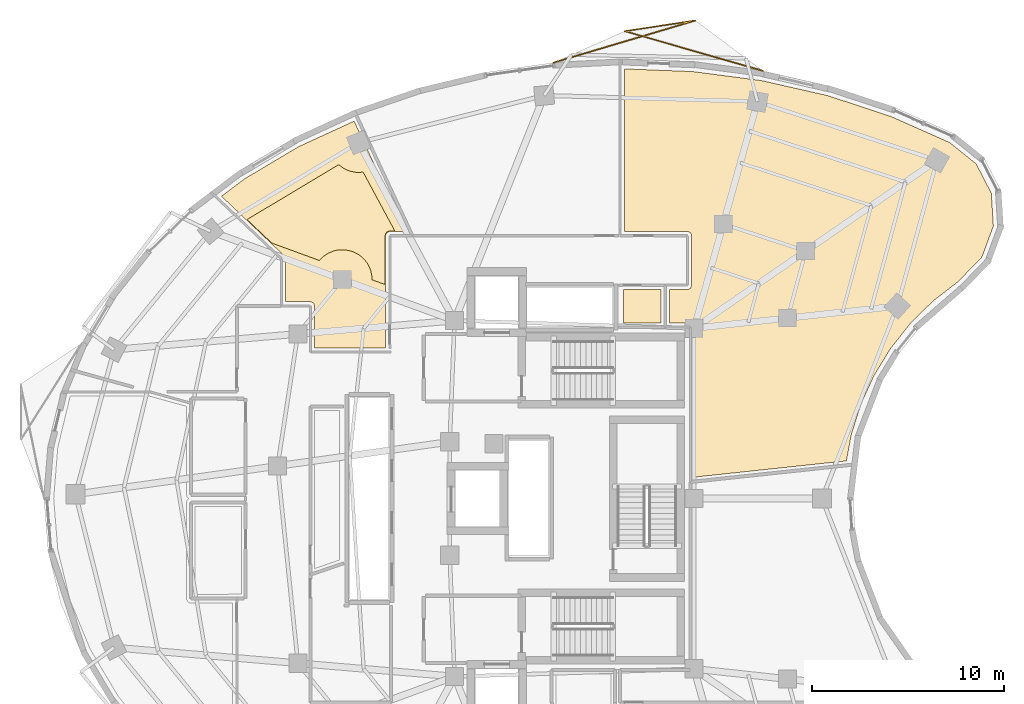
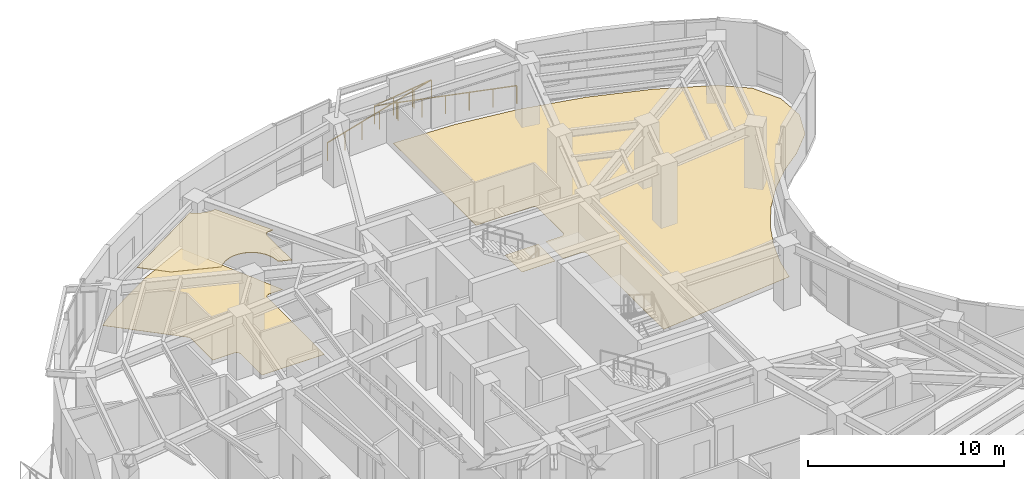
# One storey, part 14 of 14: 4 coverings, 1 railing.
"""IFC4 building model written with IfcOpenShell, lengths in metres."""

from ifc_helpers import new_model, si_unit, direction, frame, origin, origin_2d, place, context, subcontext, project, spatial, polyline, rectangle, outline, extrude, material, layer, layer_set, type_object, element, save


model = new_model("IFC4")

# Units and contexts
model_context = context("Model", 3, precision=1e-05, world=origin(), true_north=direction((0.0, 1.0)))
body_context = subcontext(model_context, "Body", "Model", "MODEL_VIEW")
ifc_project = project(units=[si_unit("LENGTHUNIT", "METRE"), si_unit("AREAUNIT", "SQUARE_METRE"), si_unit("VOLUMEUNIT", "CUBIC_METRE"), si_unit("PLANEANGLEUNIT", "RADIAN"), si_unit("MASSUNIT", "GRAM", prefix="KILO")], contexts=[model_context])

# Site, building, storey
site_placement = place(None, origin())
site = spatial("IfcSite", under=ifc_project, at=site_placement, CompositionType="ELEMENT")
building_placement = place(site_placement, origin())
building = spatial("IfcBuilding", under=site, at=building_placement, Name="Korentha Bioscience Tower", CompositionType="ELEMENT")
storey_placement = place(building_placement, frame((0.0, 0.0, 231.0)))
storey = spatial("IfcBuildingStorey", under=building, at=storey_placement, Name="L53", CompositionType="ELEMENT", Elevation=231.0)

# Covering
ifc_material_1 = material(Name="Vitrified Porcelain Tile", Category="ceramic")
ifc_layer_1 = layer(ifc_material_1, 0.014892578125, Name="Vitrified Porcelain Tile")
ifc_layer_set_1 = layer_set([ifc_layer_1], Name="Vitrified Porcelain Tile (FL-CER)")
covering_type_1 = type_object("IfcCoveringType", Name="Anti-Slip Ceramic Wet-Room Tile Flooring 15", PredefinedType="FLOORING", material=ifc_layer_set_1)
covering_1_placement = place(storey_placement, origin())
element("IfcCovering", 1, at=covering_1_placement, inside=storey, type_object=covering_type_1, Name="L53 Accessible Staff WC Floor Finish", PredefinedType="FLOORING", context=body_context, shape_type="SweptSolid", body=[
    extrude(outline(polyline([(33.8701171875, 36.1298828125), (33.8701171875, 37.8701171875), (35.830078125, 37.8701171875), (35.830078125, 36.1298828125), (33.8701171875, 36.1298828125)])), origin(), (0.0, 0.0, 1.0), 0.014892578125),
])

# Railing
ifc_material_2 = material(Name="Laminated Tempered Safety Glass", Category="glass")
railing_type = type_object("IfcRailingType", Name="Laminated Glass Balcony Guardrail 1150", PredefinedType="BALUSTRADE", material=ifc_material_2)
railing_placement = place(storey_placement, frame((41.129638671875, 49.22900390625, 0.0)))
element("IfcRailing", 2, at=railing_placement, inside=storey, type_object=railing_type, Name="L53 Balcony Guardrail 01", PredefinedType="BALUSTRADE", context=body_context, shape_type="SweptSolid", body=[
    extrude(rectangle(XDim=0.048095703125, YDim=0.048095703125, at=origin_2d()), frame((0.0, 0.0, 1.1259765625), z_axis=(-0.961101180634, 0.276196525293, 0.0), x_axis=(-0.276196525293, -0.961101180634, 0.0)), (0.0, 0.0, 1.0), 7.472900390625),
    extrude(rectangle(XDim=0.048095703125, YDim=0.048095703125, at=origin_2d()), frame((-7.18212890625, 2.06396484375, 1.1259765625), z_axis=(0.98874263413, 0.149626212452, 0.0), x_axis=(-0.149626212452, 0.98874263413, 0.0)), (0.0, 0.0, 1.0), 3.713623046875),
    extrude(rectangle(XDim=0.048095703125, YDim=0.048095703125, at=origin_2d()), frame((-3.51025390625, 2.61962890625, 1.1259765625), z_axis=(-0.958546904997, -0.284934783626, 0.0), x_axis=(0.284934783626, -0.958546904997, 0.0)), (0.0, 0.0, 1.0), 7.688232421875),
    extrude(rectangle(XDim=0.0419921875, YDim=0.0419921875, at=origin_2d()), origin(), (0.0, 0.0, 1.0), 1.101806640625),
    extrude(rectangle(XDim=0.0419921875, YDim=0.0419921875, at=origin_2d()), frame((-1.197021484375, 0.343994140625, 0.0)), (0.0, 0.0, 1.0), 1.101806640625),
    extrude(rectangle(XDim=0.0419921875, YDim=0.0419921875, at=origin_2d()), frame((-2.39404296875, 0.68798828125, 0.0)), (0.0, 0.0, 1.0), 1.101806640625),
    extrude(rectangle(XDim=0.0419921875, YDim=0.0419921875, at=origin_2d()), frame((-3.591064453125, 1.031982421875, 0.0)), (0.0, 0.0, 1.0), 1.101806640625),
    extrude(rectangle(XDim=0.0419921875, YDim=0.0419921875, at=origin_2d()), frame((-4.7880859375, 1.3759765625, 0.0)), (0.0, 0.0, 1.0), 1.101806640625),
    extrude(rectangle(XDim=0.0419921875, YDim=0.0419921875, at=origin_2d()), frame((-5.985107421875, 1.719970703125, 0.0)), (0.0, 0.0, 1.0), 1.101806640625),
    extrude(rectangle(XDim=0.0419921875, YDim=0.0419921875, at=origin_2d()), frame((-7.18212890625, 2.06396484375, 0.0)), (0.0, 0.0, 1.0), 1.101806640625),
    extrude(rectangle(XDim=0.0419921875, YDim=0.0419921875, at=origin_2d()), frame((-5.958251953125, 2.249267578125, 0.0)), (0.0, 0.0, 1.0), 1.101806640625),
    extrude(rectangle(XDim=0.0419921875, YDim=0.0419921875, at=origin_2d()), frame((-4.734130859375, 2.434326171875, 0.0)), (0.0, 0.0, 1.0), 1.101806640625),
    extrude(rectangle(XDim=0.0419921875, YDim=0.0419921875, at=origin_2d()), frame((-3.51025390625, 2.61962890625, 0.0)), (0.0, 0.0, 1.0), 1.101806640625),
    extrude(rectangle(XDim=0.0419921875, YDim=0.0419921875, at=origin_2d()), frame((-4.738525390625, 2.25439453125, 0.0)), (0.0, 0.0, 1.0), 1.101806640625),
    extrude(rectangle(XDim=0.0419921875, YDim=0.0419921875, at=origin_2d()), frame((-5.966796875, 1.889404296875, 0.0)), (0.0, 0.0, 1.0), 1.101806640625),
    extrude(rectangle(XDim=0.0419921875, YDim=0.0419921875, at=origin_2d()), frame((-7.195068359375, 1.5244140625, 0.0)), (0.0, 0.0, 1.0), 1.101806640625),
    extrude(rectangle(XDim=0.0419921875, YDim=0.0419921875, at=origin_2d()), frame((-8.42333984375, 1.1591796875, 0.0)), (0.0, 0.0, 1.0), 1.101806640625),
    extrude(rectangle(XDim=0.0419921875, YDim=0.0419921875, at=origin_2d()), frame((-9.651611328125, 0.7939453125, 0.0)), (0.0, 0.0, 1.0), 1.101806640625),
    extrude(rectangle(XDim=0.0419921875, YDim=0.0419921875, at=origin_2d()), frame((-10.8798828125, 0.428955078125, 0.0)), (0.0, 0.0, 1.0), 1.101806640625),
])

# Coverings
ifc_material_3 = material(Name="Antimicrobial Mineral Fibre Board", Category="gypsum")
ifc_layer_2 = layer(ifc_material_3, 0.034912109375, Name="Antimicrobial Mineral Fibre Board")
ifc_layer_set_2 = layer_set([ifc_layer_2], Name="Antimicrobial Mineral Fibre Board (CL-MF35)")
covering_type_2 = type_object("IfcCoveringType", Name="Mineral-Fibre Cleanroom Suspended Ceiling 35", PredefinedType="CEILING", material=ifc_layer_set_2)
covering_2_placement = place(storey_placement, frame((0.0, 0.0, 3.864990234375)))
element("IfcCovering", 3, at=covering_2_placement, inside=storey, type_object=covering_type_2, Name="L53 Colloquium Huddle Room 09 Acoustic Ceiling", PredefinedType="CEILING", context=body_context, shape_type="SweptSolid", body=[
    extrude(outline(polyline([(21.9970703125, 40.909912109375), (21.662109375, 40.89453125), (21.574951171875, 40.84228515625), (21.514892578125, 40.7607421875), (21.490234375, 40.6630859375), (21.489990234375, 38.12451171875), (20.81787109375, 38.37060546875), (20.810791015625, 38.53564453125), (20.751708984375, 38.833740234375), (20.635498046875, 39.114501953125), (20.55712890625, 39.244873046875), (20.364501953125, 39.479736328125), (20.251708984375, 39.58203125), (20.12939453125, 39.672607421875), (19.861572265625, 39.81591796875), (19.71826171875, 39.8671875), (19.42041015625, 39.92626953125), (19.116455078125, 39.92626953125), (18.966064453125, 39.904052734375), (18.818603515625, 39.8671875), (18.53759765625, 39.750732421875), (18.28515625, 39.58203125), (18.076171875, 39.373779296875), (15.6083984375, 40.276611328125), (14.31494140625, 41.499267578125), (19.07373046875, 44.352783203125), (19.382568359375, 44.133056640625), (19.663330078125, 44.016845703125), (19.961181640625, 43.95751953125), (20.11328125, 43.9501953125), (20.347412109375, 43.9697265625), (21.9970703125, 40.909912109375)])), origin(), (0.0, 0.0, 1.0), 0.034912109375),
])
ifc_material_4 = material(Name="Chemical-Resistant Epoxy Resin", Category="polymer")
ifc_layer_3 = layer(ifc_material_4, 0.011962890625, Name="Chemical-Resistant Epoxy Resin")
ifc_layer_set_3 = layer_set([ifc_layer_3], Name="Chemical-Resistant Epoxy Resin (FL-EPX)")
covering_type_3 = type_object("IfcCoveringType", Name="Seamless Epoxy Laboratory Flooring 12", PredefinedType="FLOORING", material=ifc_layer_set_3)
covering_3_placement = place(storey_placement, origin())
element("IfcCovering", 4, at=covering_3_placement, inside=storey, type_object=covering_type_3, Name="L53 Research Group Leader Office 07 Floor Finish", PredefinedType="FLOORING", context=body_context, shape_type="SweptSolid", body=[
    extrude(outline(polyline([(33.922119140625, 40.8798828125), (33.922119140625, 49.33251953125), (37.4912109375, 49.191650390625), (41.039794921875, 48.726318359375), (44.48681640625, 47.944580078125), (47.78173828125, 46.8583984375), (50.840087890625, 45.500244140625), (52.20947265625, 44.398681640625), (52.99853515625, 42.87451171875), (53.104736328125, 41.16162109375), (52.51025390625, 39.551513671875), (51.267333984375, 38.2685546875), (49.988037109375, 37.28369140625), (48.832275390625, 36.148193359375), (47.760498046875, 34.80126953125), (46.89794921875, 33.388671875), (46.222412109375, 31.906494140625), (45.71923828125, 30.318603515625), (45.464599609375, 28.958984375), (37.580078125, 28.1162109375), (37.577392578125, 35.93408203125), (37.5576171875, 35.998779296875), (37.5048828125, 36.070068359375), (37.38427734375, 36.12744140625), (36.280029296875, 36.1298828125), (36.280029296875, 37.8701171875), (37.234130859375, 37.87255859375), (37.354736328125, 37.929931640625), (37.423095703125, 38.044677734375), (37.423095703125, 40.706298828125), (37.35400390625, 40.82080078125), (37.27783203125, 40.866455078125), (37.2119140625, 40.879638671875), (33.922119140625, 40.8798828125)])), origin(), (0.0, 0.0, 1.0), 0.011962890625),
])
covering_4_placement = place(storey_placement, origin())
element("IfcCovering", 5, at=covering_4_placement, inside=storey, type_object=covering_type_3, Name="L53 Colloquium Huddle Room 09 Floor Finish", PredefinedType="FLOORING", context=body_context, shape_type="SweptSolid", body=[
    extrude(outline(polyline([(14.177978515625, 43.6123046875), (16.992919921875, 45.28662109375), (19.881591796875, 46.615478515625), (22.55615234375, 40.8798828125), (21.7158203125, 40.87744140625), (21.59521484375, 40.820068359375), (21.542236328125, 40.748779296875), (21.522705078125, 40.68408203125), (21.52001953125, 34.830078125), (17.830078125, 34.830078125), (17.830078125, 37.0), (17.797119140625, 37.11865234375), (17.7177734375, 37.197509765625), (17.61181640625, 37.229736328125), (16.322021484375, 37.22998046875), (16.322998046875, 39.454833984375), (16.290771484375, 39.57861328125), (12.9892578125, 42.711181640625), (14.177978515625, 43.6123046875)])), origin(), (0.0, 0.0, 1.0), 0.011962890625),
])

save(model, "model.ifc")
